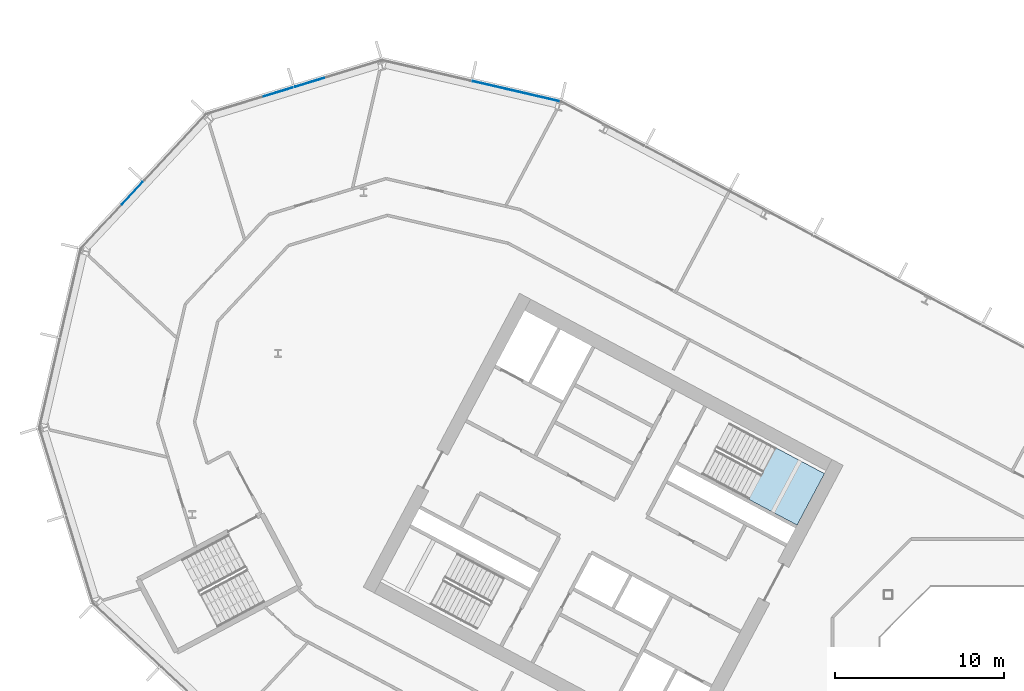
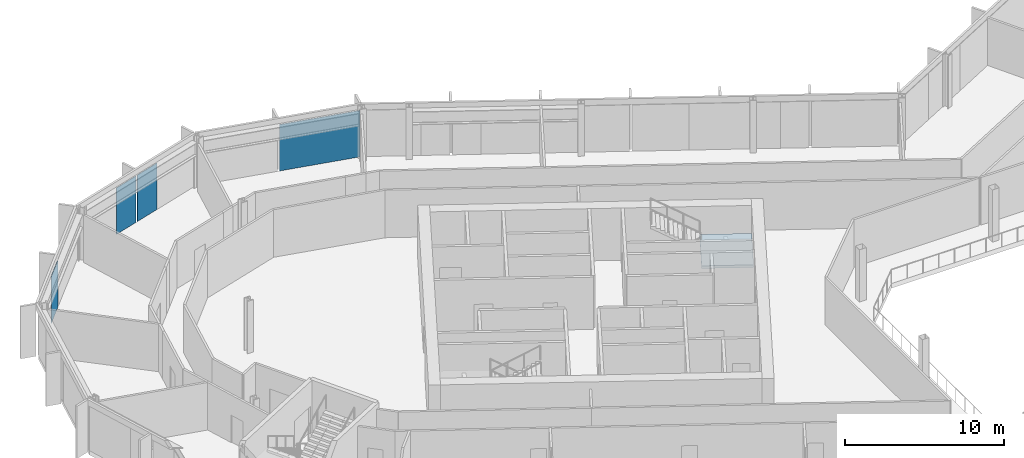
# One storey, part 11 of 28: 4 plates, 1 slab, 4 elements without a shape of their own.
"""IFC4 building model written with IfcOpenShell, lengths in metres."""

from ifc_helpers import new_model, si_unit, direction, frame, origin, origin_2d, place, context, subcontext, project, spatial, polyline, rectangle, outline, extrude, material, layer, layer_set, type_object, element, aggregate, save


model = new_model("IFC4")

# Units and contexts
model_context = context("Model", 3, precision=1e-05, world=origin(), true_north=direction((0.0, 1.0)))
body_context = subcontext(model_context, "Body", "Model", "MODEL_VIEW")
ifc_project = project(units=[si_unit("LENGTHUNIT", "METRE"), si_unit("AREAUNIT", "SQUARE_METRE"), si_unit("VOLUMEUNIT", "CUBIC_METRE"), si_unit("PLANEANGLEUNIT", "RADIAN"), si_unit("MASSUNIT", "GRAM", prefix="KILO")], contexts=[model_context])

# Site, building, storey
site_placement = place(None, origin())
site = spatial("IfcSite", under=ifc_project, at=site_placement, CompositionType="ELEMENT")
building_placement = place(site_placement, origin())
building = spatial("IfcBuilding", under=site, at=building_placement, Name="Cormorant Relay Tower", CompositionType="ELEMENT")
storey_placement = place(building_placement, frame((0.0, 0.0, 138.199951171875)))
storey = spatial("IfcBuildingStorey", under=building, at=storey_placement, Name="L28", CompositionType="ELEMENT", Elevation=138.199951171875)

# Curtain wall, plates
ifc_material_1 = material(Name="Aluminium 6063-T6 anodised bronze", Category="aluminium")
ifc_layer_1 = layer(ifc_material_1, 0.199951171875)
ifc_layer_set_1 = layer_set([ifc_layer_1], Name="CW1 unitised bronze curtain wall with vertical fins")
curtain_wall_type = type_object("IfcCurtainWallType", Name="CW1 unitised bronze curtain wall with vertical fins", PredefinedType="NOTDEFINED", material=ifc_layer_set_1)
curtain_wall_1_placement = place(storey_placement, origin())
curtain_wall_1 = element("IfcCurtainWall", 1, at=curtain_wall_1_placement, inside=storey, type_object=curtain_wall_type, Name="CW1 curtain wall 11", PredefinedType="NOTDEFINED")
ifc_material_2 = material(Name="Tinted laminated glass", Category="glass")
ifc_layer_2 = layer(ifc_material_2, 0.0400390625)
ifc_layer_set_2 = layer_set([ifc_layer_2], Name="CW1 tinted vision panel 1800 module")
plate_type_1 = type_object("IfcPlateType", Name="CW1 tinted vision panel 1800 module", PredefinedType="CURTAIN_PANEL", material=ifc_layer_set_2)
plate_1_placement = place(storey_placement, frame((-44.73681640625, 40.82861328125, 0.0), z_axis=(0.0, 0.0, 1.0), x_axis=(-0.956304755963, -0.292371704723, 0.0)))
plate_1 = element("IfcPlate", 2, at=plate_1_placement, type_object=plate_type_1, Name="CW1 panel V01", PredefinedType="CURTAIN_PANEL", context=body_context, shape_type="SweptSolid", body=[
    extrude(rectangle(XDim=1.800048828125, YDim=0.0400390625, at=origin_2d()), origin(), (0.0, 0.0, 1.0), 3.550048828125),
])
plate_2_placement = place(storey_placement, frame((-46.6015625, 40.25830078125, 0.0), z_axis=(0.0, 0.0, 1.0), x_axis=(-0.956304755963, -0.292371704723, 0.0)))
plate_2 = element("IfcPlate", 3, at=plate_2_placement, type_object=plate_type_1, Name="CW1 panel V02", PredefinedType="CURTAIN_PANEL", context=body_context, shape_type="SweptSolid", body=[
    extrude(rectangle(XDim=1.800048828125, YDim=0.0400390625, at=origin_2d()), origin(), (0.0, 0.0, 1.0), 3.550048828125),
])
aggregate(curtain_wall_1, [plate_1, plate_2])

# Curtain wall, plate
curtain_wall_2_placement = place(storey_placement, origin())
curtain_wall_2 = element("IfcCurtainWall", 4, at=curtain_wall_2_placement, inside=storey, type_object=curtain_wall_type, Name="CW1 curtain wall 12", PredefinedType="NOTDEFINED")
plate_3_placement = place(storey_placement, frame((-55.247314453125, 34.2607421875, 0.0), z_axis=(0.0, 0.0, 1.0), x_axis=(-0.681998360062, -0.731353701619, 0.0)))
plate_3 = element("IfcPlate", 5, at=plate_3_placement, type_object=plate_type_1, Name="CW1 panel V01", PredefinedType="CURTAIN_PANEL", context=body_context, shape_type="SweptSolid", body=[
    extrude(rectangle(XDim=1.800048828125, YDim=0.0400390625, at=origin_2d()), origin(), (0.0, 0.0, 1.0), 3.550048828125),
])
aggregate(curtain_wall_2, [plate_3])

curtain_wall_3_placement = place(storey_placement, origin())
curtain_wall_3 = element("IfcCurtainWall", 6, at=curtain_wall_3_placement, inside=storey, type_object=curtain_wall_type, Name="CW1 curtain wall 10", PredefinedType="NOTDEFINED")
ifc_material_3 = material(Name="Tinted laminated glass", Category="glass")
ifc_layer_3 = layer(ifc_material_3, 0.0400390625)
ifc_layer_set_3 = layer_set([ifc_layer_3], Name="CW1 tinted vision panel 5400 module")
plate_type_2 = type_object("IfcPlateType", Name="CW1 tinted vision panel 5400 module", PredefinedType="CURTAIN_PANEL", material=ifc_layer_set_3)
plate_4_placement = place(storey_placement, frame((-32.51708984375, 40.298828125, 0.0), z_axis=(0.0, 0.0, 1.0), x_axis=(-0.974370064785, 0.224951054344, 0.0)))
plate_4 = element("IfcPlate", 7, at=plate_4_placement, type_object=plate_type_2, Name="CW1 panel V00", PredefinedType="CURTAIN_PANEL", context=body_context, shape_type="SweptSolid", body=[
    extrude(rectangle(XDim=5.28515625, YDim=0.0400390625, at=origin_2d()), origin(), (0.0, 0.0, 1.0), 3.550048828125),
])
aggregate(curtain_wall_3, [plate_4])

# Stair, slab
ifc_material_4 = material(Name="Concrete 40 MPa", Category="concrete")
stair_type = type_object("IfcStairType", Name="Exit stair 1500", PredefinedType="HALF_TURN_STAIR", material=ifc_material_4)
stair_placement = place(storey_placement, origin())
stair = element("IfcStair", 8, at=stair_placement, inside=storey, type_object=stair_type, Name="L28 Stair", PredefinedType="HALF_TURN_STAIR")
ifc_material_5 = material(Name="Concrete 40 MPa", Category="concrete")
ifc_layer_4 = layer(ifc_material_5, 0.199951171875)
ifc_layer_set_4 = layer_set([ifc_layer_4], Name="Exit stair landing 200")
slab_type = type_object("IfcSlabType", Name="Exit stair landing 200", PredefinedType="LANDING", material=ifc_layer_set_4)
slab_placement = place(storey_placement, frame((0.0, 0.0, 1.800048828125)))
slab = element("IfcSlab", 9, at=slab_placement, type_object=slab_type, Name="A1 landing 1", PredefinedType="LANDING", context=body_context, shape_type="SweptSolid", body=[
    extrude(outline(polyline([(-18.7822265625, 16.1591796875), (-15.89501953125, 14.6240234375), (-14.275390625, 17.670166015625), (-17.16259765625, 19.205322265625), (-18.7822265625, 16.1591796875)])), origin(), (0.0, 0.0, 1.0), 0.199951171875),
])
aggregate(stair, [slab])

save(model, "model.ifc")
